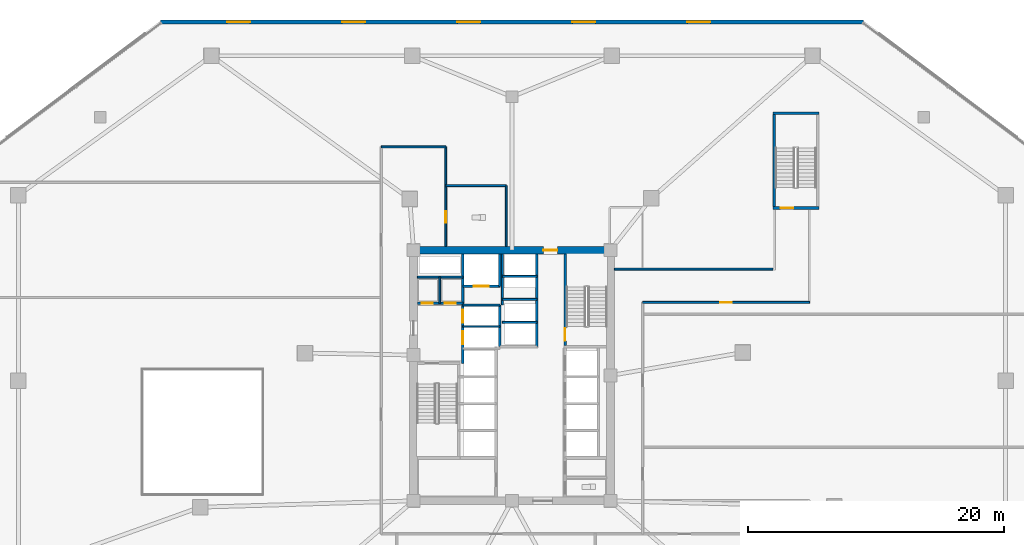
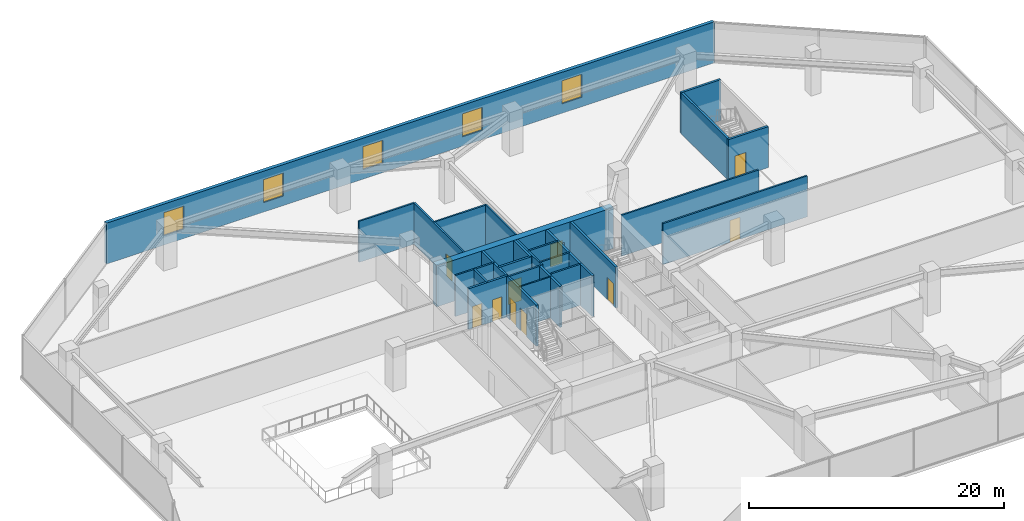
# One storey, part 12 of 22: 26 walls, 10 doors, 5 windows, 15 openings.
"""IFC4 building model written with IfcOpenShell, lengths in metres."""

from ifc_helpers import new_model, si_unit, direction, frame, frame_2d, origin, place, context, subcontext, project, spatial, rectangle, extrude, material, layer, layer_set, type_object, element, fill, save


model = new_model("IFC4")

# Units and contexts
model_context = context("Model", 3, precision=1e-05, world=origin(), true_north=direction((0.0, 1.0)))
body_context = subcontext(model_context, "Body", "Model", "MODEL_VIEW")
ifc_project = project(units=[si_unit("LENGTHUNIT", "METRE"), si_unit("AREAUNIT", "SQUARE_METRE"), si_unit("VOLUMEUNIT", "CUBIC_METRE"), si_unit("PLANEANGLEUNIT", "RADIAN"), si_unit("MASSUNIT", "GRAM", prefix="KILO")], contexts=[model_context])

# Site, building, storey
site_placement = place(None, origin())
site = spatial("IfcSite", under=ifc_project, at=site_placement, CompositionType="ELEMENT")
building_placement = place(site_placement, origin())
building = spatial("IfcBuilding", under=site, at=building_placement, Name="Savorim Split Tower", CompositionType="ELEMENT")
storey_placement = place(building_placement, frame((0.0, 0.0, 13.39990234375)))
storey = spatial("IfcBuildingStorey", under=building, at=storey_placement, Name="L03", CompositionType="ELEMENT", Elevation=13.39990234375)

# Wall, opening, door
ifc_material_1 = material(Name="Concrete C60/75", Category="concrete")
ifc_layer_1 = layer(ifc_material_1, 0.60009765625)
ifc_layer_set_1 = layer_set([ifc_layer_1], Name="WAL-COR-SH600")
wall_type_1 = type_object("IfcWallType", Name="WAL-COR-SH600", PredefinedType="SHEAR", material=ifc_layer_set_1)
wall_1_placement = place(storey_placement, frame((8.0, 10.199951171875, 0.0), z_axis=(0.0, 0.0, 1.0), x_axis=(-1.0, 0.0, 0.0)))
wall_1 = element("IfcWall", 1, at=wall_1_placement, inside=storey, type_object=wall_type_1, Name="L03 Offset Core North Shear Wall", PredefinedType="SHEAR", context=body_context, shape_type="SweptSolid", body=[
    extrude(rectangle(XDim=16.0, YDim=0.60009765625, at=frame_2d((8.0, 0.0))), origin(), (0.0, 0.0, 1.0), 3.920166015625),
])
opening_1_placement = place(wall_1_placement, frame((4.449951171875, 0.0, 0.0)))
opening_1 = element("IfcOpeningElement", 2, at=opening_1_placement, cuts=wall_1, Name="Opening DI-03", PredefinedType="OPENING", context=body_context, shape_type="SweptSolid", body=[
    extrude(rectangle(XDim=1.10009765625, YDim=2.14990234375, at=frame_2d((0.550048828125, 1.074951171875))), frame((0.0, 0.31005859375, 0.0), z_axis=(0.0, -1.0, 0.0), x_axis=(1.0, 0.0, 0.0)), (0.0, 0.0, 1.0), 0.6201171875),
])
ifc_material_2 = material(Name="Timber Fire Door Leaf", Category="wood")
door_type_1 = type_object("IfcDoorType", Name="DOR-FIR-1100", OperationType="NOTDEFINED", PredefinedType="DOOR", material=ifc_material_2)
door_1_placement = place(opening_1_placement, origin())
door_1 = element("IfcDoor", 3, at=door_1_placement, inside=storey, type_object=door_type_1, Name="DOR-L03-COR-NLOB - L03 North Corridor Lobby Fire Door", OperationType="SINGLE_SWING_RIGHT", OverallHeight=2.14990234375, OverallWidth=1.10009765625, PredefinedType="DOOR", context=body_context, shape_type="SweptSolid", body=[
    extrude(rectangle(XDim=1.10009765625, YDim=2.14990234375, at=frame_2d((0.550048828125, 1.074951171875))), frame((0.0, 0.02490234375, 0.0), z_axis=(0.0, -1.0, 0.0), x_axis=(1.0, 0.0, 0.0)), (0.0, 0.0, 1.0), 0.050048828125),
])
fill(opening_1, door_1)

# Wall, openings, windows
ifc_material_3 = material(Name="Concrete C50/60", Category="concrete")
ifc_layer_2 = layer(ifc_material_3, 0.300048828125)
ifc_layer_set_2 = layer_set([ifc_layer_2], Name="WAL-EXT-POD300")
wall_type_2 = type_object("IfcWallType", Name="WAL-EXT-POD300", PredefinedType="SOLIDWALL", material=ifc_layer_set_2)
wall_2_placement = place(storey_placement, frame((-27.47998046875, 28.0400390625, 0.0), z_axis=(0.0, 0.0, 1.0), x_axis=(1.0, 0.0, 0.0)))
wall_2 = element("IfcWall", 4, at=wall_2_placement, inside=storey, type_object=wall_type_2, Name="L03 North Podium Window Wall", PredefinedType="SOLIDWALL", context=body_context, shape_type="SweptSolid", body=[
    extrude(rectangle(XDim=54.9599609375, YDim=0.300048828125, at=frame_2d((27.47998046875, 0.0))), origin(), (0.0, 0.0, 1.0), 3.920166015625),
])
opening_2_placement = place(wall_2_placement, frame((5.199951171875, 0.0, 0.89990234375)))
opening_2 = element("IfcOpeningElement", 5, at=opening_2_placement, cuts=wall_2, Name="Opening WN-03", PredefinedType="OPENING", context=body_context, shape_type="SweptSolid", body=[
    extrude(rectangle(XDim=1.800048828125, YDim=2.199951171875, at=frame_2d((0.89990234375, 1.10009765625))), frame((0.0, 0.159912109375, 0.0), z_axis=(0.0, -1.0, 0.0), x_axis=(1.0, 0.0, 0.0)), (0.0, 0.0, 1.0), 0.320068359375),
])
opening_3_placement = place(wall_2_placement, frame((14.199951171875, 0.0, 0.89990234375)))
opening_3 = element("IfcOpeningElement", 6, at=opening_3_placement, cuts=wall_2, Name="Opening WN-03", PredefinedType="OPENING", context=body_context, shape_type="SweptSolid", body=[
    extrude(rectangle(XDim=1.800048828125, YDim=2.199951171875, at=frame_2d((0.89990234375, 1.10009765625))), frame((0.0, 0.159912109375, 0.0), z_axis=(0.0, -1.0, 0.0), x_axis=(1.0, 0.0, 0.0)), (0.0, 0.0, 1.0), 0.320068359375),
])
opening_4_placement = place(wall_2_placement, frame((23.199951171875, 0.0, 0.89990234375)))
opening_4 = element("IfcOpeningElement", 7, at=opening_4_placement, cuts=wall_2, Name="Opening WN-03", PredefinedType="OPENING", context=body_context, shape_type="SweptSolid", body=[
    extrude(rectangle(XDim=1.800048828125, YDim=2.199951171875, at=frame_2d((0.89990234375, 1.10009765625))), frame((0.0, 0.159912109375, 0.0), z_axis=(0.0, -1.0, 0.0), x_axis=(1.0, 0.0, 0.0)), (0.0, 0.0, 1.0), 0.320068359375),
])
opening_5_placement = place(wall_2_placement, frame((32.199951171875, 0.0, 0.89990234375)))
opening_5 = element("IfcOpeningElement", 8, at=opening_5_placement, cuts=wall_2, Name="Opening WN-03", PredefinedType="OPENING", context=body_context, shape_type="SweptSolid", body=[
    extrude(rectangle(XDim=1.800048828125, YDim=2.199951171875, at=frame_2d((0.89990234375, 1.10009765625))), frame((0.0, 0.159912109375, 0.0), z_axis=(0.0, -1.0, 0.0), x_axis=(1.0, 0.0, 0.0)), (0.0, 0.0, 1.0), 0.320068359375),
])
opening_6_placement = place(wall_2_placement, frame((41.199951171875, 0.0, 0.89990234375)))
opening_6 = element("IfcOpeningElement", 9, at=opening_6_placement, cuts=wall_2, Name="Opening WN-03", PredefinedType="OPENING", context=body_context, shape_type="SweptSolid", body=[
    extrude(rectangle(XDim=1.800048828125, YDim=2.199951171875, at=frame_2d((0.89990234375, 1.10009765625))), frame((0.0, 0.159912109375, 0.0), z_axis=(0.0, -1.0, 0.0), x_axis=(1.0, 0.0, 0.0)), (0.0, 0.0, 1.0), 0.320068359375),
])
ifc_material_4 = material(Name="Low-E Operable Double Glazing", Category="glass")
window_type = type_object("IfcWindowType", Name="WIN-POD-1800x2200", PartitioningType="DOUBLE_PANEL_VERTICAL", PredefinedType="WINDOW", material=ifc_material_4)
window_1_placement = place(opening_2_placement, origin())
window_1 = element("IfcWindow", 10, at=window_1_placement, inside=storey, type_object=window_type, Name="L03 North Podium Operable Window 1", OverallHeight=2.199951171875, OverallWidth=1.800048828125, PartitioningType="SINGLE_PANEL", PredefinedType="WINDOW", context=body_context, shape_type="SweptSolid", body=[
    extrude(rectangle(XDim=1.800048828125, YDim=2.199951171875, at=frame_2d((0.89990234375, 1.10009765625))), frame((0.0, 0.030029296875, 0.0), z_axis=(0.0, -1.0, 0.0), x_axis=(1.0, 0.0, 0.0)), (0.0, 0.0, 1.0), 0.06005859375),
])
fill(opening_2, window_1)
window_2_placement = place(opening_3_placement, origin())
window_2 = element("IfcWindow", 11, at=window_2_placement, inside=storey, type_object=window_type, Name="L03 North Podium Operable Window 2", OverallHeight=2.199951171875, OverallWidth=1.800048828125, PartitioningType="SINGLE_PANEL", PredefinedType="WINDOW", context=body_context, shape_type="SweptSolid", body=[
    extrude(rectangle(XDim=1.800048828125, YDim=2.199951171875, at=frame_2d((0.89990234375, 1.10009765625))), frame((0.0, 0.030029296875, 0.0), z_axis=(0.0, -1.0, 0.0), x_axis=(1.0, 0.0, 0.0)), (0.0, 0.0, 1.0), 0.06005859375),
])
fill(opening_3, window_2)
window_3_placement = place(opening_4_placement, origin())
window_3 = element("IfcWindow", 12, at=window_3_placement, inside=storey, type_object=window_type, Name="L03 North Podium Operable Window 3", OverallHeight=2.199951171875, OverallWidth=1.800048828125, PartitioningType="SINGLE_PANEL", PredefinedType="WINDOW", context=body_context, shape_type="SweptSolid", body=[
    extrude(rectangle(XDim=1.800048828125, YDim=2.199951171875, at=frame_2d((0.89990234375, 1.10009765625))), frame((0.0, 0.030029296875, 0.0), z_axis=(0.0, -1.0, 0.0), x_axis=(1.0, 0.0, 0.0)), (0.0, 0.0, 1.0), 0.06005859375),
])
fill(opening_4, window_3)
window_4_placement = place(opening_5_placement, origin())
window_4 = element("IfcWindow", 13, at=window_4_placement, inside=storey, type_object=window_type, Name="L03 North Podium Operable Window 4", OverallHeight=2.199951171875, OverallWidth=1.800048828125, PartitioningType="SINGLE_PANEL", PredefinedType="WINDOW", context=body_context, shape_type="SweptSolid", body=[
    extrude(rectangle(XDim=1.800048828125, YDim=2.199951171875, at=frame_2d((0.89990234375, 1.10009765625))), frame((0.0, 0.030029296875, 0.0), z_axis=(0.0, -1.0, 0.0), x_axis=(1.0, 0.0, 0.0)), (0.0, 0.0, 1.0), 0.06005859375),
])
fill(opening_5, window_4)
window_5_placement = place(opening_6_placement, origin())
window_5 = element("IfcWindow", 14, at=window_5_placement, inside=storey, type_object=window_type, Name="L03 North Podium Operable Window 5", OverallHeight=2.199951171875, OverallWidth=1.800048828125, PartitioningType="SINGLE_PANEL", PredefinedType="WINDOW", context=body_context, shape_type="SweptSolid", body=[
    extrude(rectangle(XDim=1.800048828125, YDim=2.199951171875, at=frame_2d((0.89990234375, 1.10009765625))), frame((0.0, 0.030029296875, 0.0), z_axis=(0.0, -1.0, 0.0), x_axis=(1.0, 0.0, 0.0)), (0.0, 0.0, 1.0), 0.06005859375),
])
fill(opening_6, window_5)

# Wall, openings, doors
ifc_layer_3 = layer(ifc_material_3, 0.199951171875)
ifc_layer_set_3 = layer_set([ifc_layer_3], Name="WAL-INT-RC200")
wall_type_3 = type_object("IfcWallType", Name="WAL-INT-RC200", PredefinedType="SOLIDWALL", material=ifc_layer_set_3)
wall_3_placement = place(storey_placement, frame((-3.85009765625, 1.35009765625, 0.0), z_axis=(0.0, 0.0, 1.0), x_axis=(0.0, 1.0, 0.0)))
wall_3 = element("IfcWall", 15, at=wall_3_placement, inside=storey, type_object=wall_type_3, Name="L03 Partition W-L03-CR03", PredefinedType="SOLIDWALL", context=body_context, shape_type="SweptSolid", body=[
    extrude(rectangle(XDim=8.544921875, YDim=0.199951171875, at=frame_2d((4.2724609375, 0.0))), origin(), (0.0, 0.0, 1.0), 3.920166015625),
])
opening_7_placement = place(wall_3_placement, frame((1.5, 0.0, 0.0)))
opening_7 = element("IfcOpeningElement", 16, at=opening_7_placement, cuts=wall_3, Name="Opening LD-FFL", PredefinedType="OPENING", context=body_context, shape_type="SweptSolid", body=[
    extrude(rectangle(XDim=1.0, YDim=2.14990234375, at=frame_2d((0.5, 1.074951171875))), frame((0.0, 0.10986328125, 0.0), z_axis=(0.0, -1.0, 0.0), x_axis=(1.0, 0.0, 0.0)), (0.0, 0.0, 1.0), 0.219970703125),
])
opening_8_placement = place(wall_3_placement, frame((3.179931640625, 0.0, 0.0)))
opening_8 = element("IfcOpeningElement", 17, at=opening_8_placement, cuts=wall_3, Name="Opening LD-FFL", PredefinedType="OPENING", context=body_context, shape_type="SweptSolid", body=[
    extrude(rectangle(XDim=1.0, YDim=2.14990234375, at=frame_2d((0.5, 1.074951171875))), frame((0.0, 0.10986328125, 0.0), z_axis=(0.0, -1.0, 0.0), x_axis=(1.0, 0.0, 0.0)), (0.0, 0.0, 1.0), 0.219970703125),
])
ifc_material_5 = material(Name="Charcoal Anodised Aluminium", Category="aluminium")
door_type_2 = type_object("IfcDoorType", Name="DOR-SLD-LD1000", OperationType="NOTDEFINED", PredefinedType="DOOR", material=ifc_material_5)
door_2_placement = place(opening_7_placement, origin())
door_2 = element("IfcDoor", 18, at=door_2_placement, inside=storey, type_object=door_type_2, Name="DR-L03-LD-FFL1 - L03 Firefighting Lift FFL-1 Sliding Landing Door", OperationType="DOUBLE_DOOR_SLIDING", OverallHeight=2.14990234375, OverallWidth=1.0, PredefinedType="DOOR", context=body_context, shape_type="SweptSolid", body=[
    extrude(rectangle(XDim=1.0, YDim=2.14990234375, at=frame_2d((0.5, 1.074951171875))), frame((0.0, 0.02490234375, 0.0), z_axis=(0.0, -1.0, 0.0), x_axis=(1.0, 0.0, 0.0)), (0.0, 0.0, 1.0), 0.050048828125),
])
fill(opening_7, door_2)
door_3_placement = place(opening_8_placement, origin())
door_3 = element("IfcDoor", 19, at=door_3_placement, inside=storey, type_object=door_type_2, Name="DR-L03-LD-FFL2 - L03 Firefighting Lift FFL-2 Sliding Landing Door", OperationType="DOUBLE_DOOR_SLIDING", OverallHeight=2.14990234375, OverallWidth=1.0, PredefinedType="DOOR", context=body_context, shape_type="SweptSolid", body=[
    extrude(rectangle(XDim=1.0, YDim=2.14990234375, at=frame_2d((0.5, 1.074951171875))), frame((0.0, 0.02490234375, 0.0), z_axis=(0.0, -1.0, 0.0), x_axis=(1.0, 0.0, 0.0)), (0.0, 0.0, 1.0), 0.050048828125),
])
fill(opening_8, door_3)

wall_4_placement = place(storey_placement, frame((-7.39501953125, 6.050048828125, 0.0), z_axis=(0.0, 0.0, 1.0), x_axis=(1.0, 0.0, 0.0)))
wall_4 = element("IfcWall", 20, at=wall_4_placement, inside=storey, type_object=wall_type_3, Name="L03 Partition W-L03-CR04", PredefinedType="SOLIDWALL", context=body_context, shape_type="SweptSolid", body=[
    extrude(rectangle(XDim=3.544921875, YDim=0.199951171875, at=frame_2d((1.7724609375, 0.0))), origin(), (0.0, 0.0, 1.0), 3.920166015625),
])
opening_9_placement = place(wall_4_placement, frame((0.344970703125, 0.0, 0.0)))
opening_9 = element("IfcOpeningElement", 21, at=opening_9_placement, cuts=wall_4, Name="Opening DI-12", PredefinedType="OPENING", context=body_context, shape_type="SweptSolid", body=[
    extrude(rectangle(XDim=0.85009765625, YDim=2.10009765625, at=frame_2d((0.425048828125, 1.050048828125))), frame((0.0, 0.10986328125, 0.0), z_axis=(0.0, -1.0, 0.0), x_axis=(1.0, 0.0, 0.0)), (0.0, 0.0, 1.0), 0.219970703125),
])
opening_10_placement = place(wall_4_placement, frame((2.14501953125, 0.0, 0.0)))
opening_10 = element("IfcOpeningElement", 22, at=opening_10_placement, cuts=wall_4, Name="Opening DI-12", PredefinedType="OPENING", context=body_context, shape_type="SweptSolid", body=[
    extrude(rectangle(XDim=0.85009765625, YDim=2.10009765625, at=frame_2d((0.425048828125, 1.050048828125))), frame((0.0, 0.10986328125, 0.0), z_axis=(0.0, -1.0, 0.0), x_axis=(1.0, 0.0, 0.0)), (0.0, 0.0, 1.0), 0.219970703125),
])
ifc_material_6 = material(Name="Galvanised Painted Steel Balustrade", Category="steel")
door_type_3 = type_object("IfcDoorType", Name="DOR-RIS-850", OperationType="NOTDEFINED", PredefinedType="DOOR", material=ifc_material_6)
door_4_placement = place(opening_9_placement, origin())
door_4 = element("IfcDoor", 23, at=door_4_placement, inside=storey, type_object=door_type_3, Name="DR-L03-ELR - L03 Electrical Riser Access Door", OperationType="SINGLE_SWING_RIGHT", OverallHeight=2.10009765625, OverallWidth=0.85009765625, PredefinedType="DOOR", context=body_context, shape_type="SweptSolid", body=[
    extrude(rectangle(XDim=0.85009765625, YDim=2.10009765625, at=frame_2d((0.425048828125, 1.050048828125))), frame((0.0, 0.02490234375, 0.0), z_axis=(0.0, -1.0, 0.0), x_axis=(1.0, 0.0, 0.0)), (0.0, 0.0, 1.0), 0.050048828125),
])
fill(opening_9, door_4)
door_5_placement = place(opening_10_placement, origin())
door_5 = element("IfcDoor", 24, at=door_5_placement, inside=storey, type_object=door_type_3, Name="DR-L03-TLR - L03 Telecom Riser Access Door", OperationType="SINGLE_SWING_LEFT", OverallHeight=2.10009765625, OverallWidth=0.85009765625, PredefinedType="DOOR", context=body_context, shape_type="SweptSolid", body=[
    extrude(rectangle(XDim=0.85009765625, YDim=2.10009765625, at=frame_2d((0.425048828125, 1.050048828125))), frame((0.0, 0.02490234375, 0.0), z_axis=(0.0, -1.0, 0.0), x_axis=(1.0, 0.0, 0.0)), (0.0, 0.0, 1.0), 0.050048828125),
])
fill(opening_10, door_5)

# Wall, opening, door
wall_5_placement = place(storey_placement, frame((4.14990234375, 2.75, 0.0), z_axis=(0.0, 0.0, 1.0), x_axis=(0.0, 1.0, 0.0)))
wall_5 = element("IfcWall", 25, at=wall_5_placement, inside=storey, type_object=wall_type_3, Name="L03 Structural Shaft Wall W-L03-CR07", PredefinedType="SOLIDWALL", context=body_context, shape_type="SweptSolid", body=[
    extrude(rectangle(XDim=7.14990234375, YDim=0.199951171875, at=frame_2d((3.574951171875, 0.0))), origin(), (0.0, 0.0, 1.0), 3.920166015625),
])
opening_11_placement = place(wall_5_placement, frame((0.35009765625, 0.0, 0.0)))
opening_11 = element("IfcOpeningElement", 26, at=opening_11_placement, cuts=wall_5, Name="Opening DI-04", PredefinedType="OPENING", context=body_context, shape_type="SweptSolid", body=[
    extrude(rectangle(XDim=1.0, YDim=2.14990234375, at=frame_2d((0.5, 1.074951171875))), frame((0.0, 0.10986328125, 0.0), z_axis=(0.0, -1.0, 0.0), x_axis=(1.0, 0.0, 0.0)), (0.0, 0.0, 1.0), 0.219970703125),
])
door_type_4 = type_object("IfcDoorType", Name="DOR-FIR-1000", OperationType="NOTDEFINED", PredefinedType="DOOR", material=ifc_material_2)
door_6_placement = place(opening_11_placement, origin())
door_6 = element("IfcDoor", 27, at=door_6_placement, inside=storey, type_object=door_type_4, Name="DR-L03-ST2 - L03 Stair ST-2 Enclosure Door", OperationType="SINGLE_SWING_RIGHT", OverallHeight=2.14990234375, OverallWidth=1.0, PredefinedType="DOOR", context=body_context, shape_type="SweptSolid", body=[
    extrude(rectangle(XDim=1.0, YDim=2.14990234375, at=frame_2d((0.5, 1.074951171875))), frame((0.0, 0.02490234375, 0.0), z_axis=(0.0, -1.0, 0.0), x_axis=(1.0, 0.0, 0.0)), (0.0, 0.0, 1.0), 0.050048828125),
])
fill(opening_11, door_6)

# Wall
wall_6_placement = place(storey_placement, frame((-0.949951171875, 2.64990234375, 0.0), z_axis=(0.0, 0.0, 1.0), x_axis=(0.0, 1.0, 0.0)))
element("IfcWall", 28, at=wall_6_placement, inside=storey, type_object=wall_type_3, Name="L03 Partition W-L03-FFLW", PredefinedType="SOLIDWALL", context=body_context, shape_type="SweptSolid", body=[
    extrude(rectangle(XDim=3.27001953125, YDim=0.199951171875, at=frame_2d((1.635009765625, 0.0))), origin(), (0.0, 0.0, 1.0), 3.920166015625),
])

# Wall, opening, door
wall_7_placement = place(storey_placement, frame((-3.85009765625, 7.3798828125, 0.0), z_axis=(0.0, 0.0, 1.0), x_axis=(1.0, 0.0, 0.0)))
wall_7 = element("IfcWall", 29, at=wall_7_placement, inside=storey, type_object=wall_type_3, Name="L03 Partition W-L03-SVLS", PredefinedType="SOLIDWALL", context=body_context, shape_type="SweptSolid", body=[
    extrude(rectangle(XDim=2.900146484375, YDim=0.199951171875, at=frame_2d((1.4501953125, 0.0))), origin(), (0.0, 0.0, 1.0), 3.920166015625),
])
opening_12_placement = place(wall_7_placement, frame((0.85009765625, 0.0, 0.0)))
opening_12 = element("IfcOpeningElement", 30, at=opening_12_placement, cuts=wall_7, Name="Opening LD-SV", PredefinedType="OPENING", context=body_context, shape_type="SweptSolid", body=[
    extrude(rectangle(XDim=1.199951171875, YDim=2.199951171875, at=frame_2d((0.60009765625, 1.10009765625))), frame((0.0, 0.10986328125, 0.0), z_axis=(0.0, -1.0, 0.0), x_axis=(1.0, 0.0, 0.0)), (0.0, 0.0, 1.0), 0.219970703125),
])
door_type_5 = type_object("IfcDoorType", Name="DOR-SLD-SV1200", OperationType="NOTDEFINED", PredefinedType="DOOR", material=ifc_material_5)
door_7_placement = place(opening_12_placement, origin())
door_7 = element("IfcDoor", 31, at=door_7_placement, inside=storey, type_object=door_type_5, Name="DR-L03-LD-SVL1 - L03 Service Lift SVL-1 Sliding Landing Door", OperationType="DOUBLE_DOOR_SLIDING", OverallHeight=2.199951171875, OverallWidth=1.199951171875, PredefinedType="DOOR", context=body_context, shape_type="SweptSolid", body=[
    extrude(rectangle(XDim=1.199951171875, YDim=2.199951171875, at=frame_2d((0.60009765625, 1.10009765625))), frame((0.0, 0.02490234375, 0.0), z_axis=(0.0, -1.0, 0.0), x_axis=(1.0, 0.0, 0.0)), (0.0, 0.0, 1.0), 0.050048828125),
])
fill(opening_12, door_7)

# Walls
wall_8_placement = place(storey_placement, frame((-0.949951171875, 7.3798828125, 0.0), z_axis=(0.0, 0.0, 1.0), x_axis=(0.0, 1.0, 0.0)))
element("IfcWall", 32, at=wall_8_placement, inside=storey, type_object=wall_type_3, Name="L03 Partition W-L03-SVLE", PredefinedType="SOLIDWALL", context=body_context, shape_type="SweptSolid", body=[
    extrude(rectangle(XDim=2.51513671875, YDim=0.199951171875, at=frame_2d((1.257568359375, 0.0))), origin(), (0.0, 0.0, 1.0), 3.920166015625),
])
wall_9_placement = place(storey_placement, frame((1.949951171875, 2.64990234375, 0.0), z_axis=(0.0, 0.0, 1.0), x_axis=(0.0, 1.0, 0.0)))
element("IfcWall", 33, at=wall_9_placement, inside=storey, type_object=wall_type_3, Name="L03 Partition W-L03-B3FRONT", PredefinedType="SOLIDWALL", context=body_context, shape_type="SweptSolid", body=[
    extrude(rectangle(XDim=7.2451171875, YDim=0.199951171875, at=frame_2d((3.62255859375, 0.0))), origin(), (0.0, 0.0, 1.0), 3.920166015625),
])

# Wall, opening, door
wall_10_placement = place(storey_placement, frame((20.39990234375, 13.5, 0.0), z_axis=(0.0, 0.0, 1.0), x_axis=(1.0, 0.0, 0.0)))
wall_10 = element("IfcWall", 34, at=wall_10_placement, inside=storey, type_object=wall_type_3, Name="L03 Structural Shaft Wall W-L03-ST3S", PredefinedType="SOLIDWALL", context=body_context, shape_type="SweptSolid", body=[
    extrude(rectangle(XDim=3.60009765625, YDim=0.199951171875, at=frame_2d((1.800048828125, 0.0))), origin(), (0.0, 0.0, 1.0), 3.920166015625),
])
opening_13_placement = place(wall_10_placement, frame((0.60009765625, 0.0, 0.0)))
opening_13 = element("IfcOpeningElement", 35, at=opening_13_placement, cuts=wall_10, Name="Opening DI-04", PredefinedType="OPENING", context=body_context, shape_type="SweptSolid", body=[
    extrude(rectangle(XDim=1.0, YDim=2.14990234375, at=frame_2d((0.5, 1.074951171875))), frame((0.0, 0.10986328125, 0.0), z_axis=(0.0, -1.0, 0.0), x_axis=(1.0, 0.0, 0.0)), (0.0, 0.0, 1.0), 0.219970703125),
])
door_8_placement = place(opening_13_placement, origin())
door_8 = element("IfcDoor", 36, at=door_8_placement, inside=storey, type_object=door_type_4, Name="DR-L03-ST3 - L03 Stair ST-3 Enclosure Door", OperationType="SINGLE_SWING_RIGHT", OverallHeight=2.14990234375, OverallWidth=1.0, PredefinedType="DOOR", context=body_context, shape_type="SweptSolid", body=[
    extrude(rectangle(XDim=1.0, YDim=2.14990234375, at=frame_2d((0.5, 1.074951171875))), frame((0.0, 0.02490234375, 0.0), z_axis=(0.0, -1.0, 0.0), x_axis=(1.0, 0.0, 0.0)), (0.0, 0.0, 1.0), 0.050048828125),
])
fill(opening_13, door_8)

# Walls
wall_11_placement = place(storey_placement, frame((20.39990234375, 20.89990234375, 0.0), z_axis=(0.0, 0.0, 1.0), x_axis=(1.0, 0.0, 0.0)))
element("IfcWall", 37, at=wall_11_placement, inside=storey, type_object=wall_type_3, Name="L03 Structural Shaft Wall W-L03-ST3N", PredefinedType="SOLIDWALL", context=body_context, shape_type="SweptSolid", body=[
    extrude(rectangle(XDim=3.60009765625, YDim=0.199951171875, at=frame_2d((1.800048828125, 0.0))), origin(), (0.0, 0.0, 1.0), 3.920166015625),
])
wall_12_placement = place(storey_placement, frame((20.5, 13.60009765625, 0.0), z_axis=(0.0, 0.0, 1.0), x_axis=(0.0, 1.0, 0.0)))
element("IfcWall", 38, at=wall_12_placement, inside=storey, type_object=wall_type_3, Name="L03 Structural Shaft Wall W-L03-ST3W", PredefinedType="SOLIDWALL", context=body_context, shape_type="SweptSolid", body=[
    extrude(rectangle(XDim=7.199951171875, YDim=0.199951171875, at=frame_2d((3.60009765625, 0.0))), origin(), (0.0, 0.0, 1.0), 3.920166015625),
])
ifc_material_7 = material(Name="Acoustic Gypsum Partition Board")
ifc_layer_4 = layer(ifc_material_7, 0.1201171875)
ifc_layer_set_4 = layer_set([ifc_layer_4], Name="WAL-PAR-120")
wall_type_4 = type_object("IfcWallType", Name="WAL-PAR-120", PredefinedType="PARTITIONING", material=ifc_layer_set_4)
wall_13_placement = place(storey_placement, frame((-3.85009765625, 4.219970703125, 0.0), z_axis=(0.0, 0.0, 1.0), x_axis=(1.0, 0.0, 0.0)))
element("IfcWall", 39, at=wall_13_placement, inside=storey, type_object=wall_type_4, Name="L03 Partition W-L03-FFLD1", PredefinedType="PARTITIONING", context=body_context, shape_type="SweptSolid", body=[
    extrude(rectangle(XDim=2.900146484375, YDim=0.1201171875, at=frame_2d((1.4501953125, 0.0))), origin(), (0.0, 0.0, 1.0), 3.920166015625),
])
ifc_layer_5 = layer(ifc_material_7, 0.14990234375)
ifc_layer_set_5 = layer_set([ifc_layer_5], Name="WAL-PAR-150")
wall_type_5 = type_object("IfcWallType", Name="WAL-PAR-150", PredefinedType="PARTITIONING", material=ifc_layer_set_5)
wall_14_placement = place(storey_placement, frame((-7.39501953125, 8.10009765625, 0.0), z_axis=(0.0, 0.0, 1.0), x_axis=(1.0, 0.0, 0.0)))
element("IfcWall", 40, at=wall_14_placement, inside=storey, type_object=wall_type_5, Name="L03 Partition W-L03-CR05", PredefinedType="PARTITIONING", context=body_context, shape_type="SweptSolid", body=[
    extrude(rectangle(XDim=3.544921875, YDim=0.14990234375, at=frame_2d((1.7724609375, 0.0))), origin(), (0.0, 0.0, 1.0), 3.920166015625),
])
wall_15_placement = place(storey_placement, frame((-5.64990234375, 6.050048828125, 0.0), z_axis=(0.0, 0.0, 1.0), x_axis=(0.0, 1.0, 0.0)))
element("IfcWall", 41, at=wall_15_placement, inside=storey, type_object=wall_type_5, Name="L03 Partition W-L03-CR06", PredefinedType="PARTITIONING", context=body_context, shape_type="SweptSolid", body=[
    extrude(rectangle(XDim=2.050048828125, YDim=0.14990234375, at=frame_2d((1.02490234375, 0.0))), origin(), (0.0, 0.0, 1.0), 3.920166015625),
])
wall_16_placement = place(storey_placement, frame((-3.85009765625, 5.89990234375, 0.0), z_axis=(0.0, 0.0, 1.0), x_axis=(1.0, 0.0, 0.0)))
element("IfcWall", 42, at=wall_16_placement, inside=storey, type_object=wall_type_5, Name="L03 Partition W-L03-FFLD2", PredefinedType="PARTITIONING", context=body_context, shape_type="SweptSolid", body=[
    extrude(rectangle(XDim=2.900146484375, YDim=0.14990234375, at=frame_2d((1.4501953125, 0.0))), origin(), (0.0, 0.0, 1.0), 3.920166015625),
])
wall_17_placement = place(storey_placement, frame((-0.75, 5.919921875, 0.0), z_axis=(0.0, 0.0, 1.0), x_axis=(0.0, 1.0, 0.0)))
element("IfcWall", 43, at=wall_17_placement, inside=storey, type_object=wall_type_5, Name="L03 Partition W-L03-B3WEST", PredefinedType="PARTITIONING", context=body_context, shape_type="SweptSolid", body=[
    extrude(rectangle(XDim=3.97509765625, YDim=0.14990234375, at=frame_2d((1.987548828125, 0.0))), origin(), (0.0, 0.0, 1.0), 3.920166015625),
])
for number, where, z_axis, x_axis, name in (
    (44, (-0.75, 4.550048828125, 0.0), (0.0, 0.0, 1.0), (1.0, 0.0, 0.0), "L03 Partition W-L03-B3DIV1"),
    (45, (-0.75, 6.35009765625, 0.0), (0.0, 0.0, 1.0), (1.0, 0.0, 0.0), "L03 Partition W-L03-B3DIV2"),
    (46, (-0.75, 8.14990234375, 0.0), (0.0, 0.0, 1.0), (1.0, 0.0, 0.0), "L03 Partition W-L03-B3DIV3"),
):
    element("IfcWall", number, at=place(storey_placement, frame(where, z_axis=z_axis, x_axis=x_axis)), inside=storey, type_object=wall_type_5, Name=name, PredefinedType="PARTITIONING", context=body_context, shape_type="SweptSolid", body=[
        extrude(rectangle(XDim=2.699951171875, YDim=0.14990234375, at=frame_2d((1.35009765625, 0.0))), origin(), (0.0, 0.0, 1.0), 3.920166015625),
    ])
wall_18_placement = place(storey_placement, frame((-10.219970703125, 18.280029296875, 0.0), z_axis=(0.0, 0.0, 1.0), x_axis=(1.0, 0.0, 0.0)))
element("IfcWall", 47, at=wall_18_placement, inside=storey, type_object=wall_type_5, Name="L03 Partition W-L03-PCNW", PredefinedType="PARTITIONING", context=body_context, shape_type="SweptSolid", body=[
    extrude(rectangle(XDim=5.0400390625, YDim=0.14990234375, at=frame_2d((2.52001953125, 0.0))), origin(), (0.0, 0.0, 1.0), 3.920166015625),
])

# Wall, opening, door
wall_19_placement = place(storey_placement, frame((-5.179931640625, 10.5, 0.0), z_axis=(0.0, 0.0, 1.0), x_axis=(0.0, 1.0, 0.0)))
wall_19 = element("IfcWall", 48, at=wall_19_placement, inside=storey, type_object=wall_type_5, Name="L03 Partition W-L03-PCNE0", PredefinedType="PARTITIONING", context=body_context, shape_type="SweptSolid", body=[
    extrude(rectangle(XDim=7.780029296875, YDim=0.14990234375, at=frame_2d((3.89013671875, 0.0))), origin(), (0.0, 0.0, 1.0), 3.920166015625),
])
opening_14_placement = place(wall_19_placement, frame((1.848876953125, 0.0, 0.0)))
opening_14 = element("IfcOpeningElement", 49, at=opening_14_placement, cuts=wall_19, Name="Opening DI-11", PredefinedType="OPENING", context=body_context, shape_type="SweptSolid", body=[
    extrude(rectangle(XDim=0.89990234375, YDim=2.10009765625, at=frame_2d((0.449951171875, 1.050048828125))), frame((0.0, 0.0849609375, 0.0), z_axis=(0.0, -1.0, 0.0), x_axis=(1.0, 0.0, 0.0)), (0.0, 0.0, 1.0), 0.169921875),
])
ifc_material_8 = material(Name="Oak Veneer Acoustic Door")
door_type_6 = type_object("IfcDoorType", Name="DOR-WC-900", OperationType="NOTDEFINED", PredefinedType="DOOR", material=ifc_material_8)
door_9_placement = place(opening_14_placement, origin())
door_9 = element("IfcDoor", 50, at=door_9_placement, inside=storey, type_object=door_type_6, Name="DR-L03-RM01 - L03 Accessible WC Entry Door", OperationType="SINGLE_SWING_RIGHT", OverallHeight=2.10009765625, OverallWidth=0.89990234375, PredefinedType="DOOR", context=body_context, shape_type="SweptSolid", body=[
    extrude(rectangle(XDim=0.89990234375, YDim=2.10009765625, at=frame_2d((0.449951171875, 1.050048828125))), frame((0.0, 0.02490234375, 0.0), z_axis=(0.0, -1.0, 0.0), x_axis=(1.0, 0.0, 0.0)), (0.0, 0.0, 1.0), 0.050048828125),
])
fill(opening_14, door_9)

wall_20_placement = place(storey_placement, frame((10.219970703125, 6.1201171875, 0.0), z_axis=(0.0, 0.0, 1.0), x_axis=(1.0, 0.0, 0.0)))
wall_20 = element("IfcWall", 51, at=wall_20_placement, inside=storey, type_object=wall_type_5, Name="L03 Partition W-L03-PCNE", PredefinedType="PARTITIONING", context=body_context, shape_type="SweptSolid", body=[
    extrude(rectangle(XDim=13.06005859375, YDim=0.14990234375, at=frame_2d((6.530029296875, 0.0))), origin(), (0.0, 0.0, 1.0), 3.920166015625),
])
opening_15_placement = place(wall_20_placement, frame((6.080078125, 0.0, 0.0)))
opening_15 = element("IfcOpeningElement", 52, at=opening_15_placement, cuts=wall_20, Name="Opening DI-06", PredefinedType="OPENING", context=body_context, shape_type="SweptSolid", body=[
    extrude(rectangle(XDim=0.89990234375, YDim=2.10009765625, at=frame_2d((0.449951171875, 1.050048828125))), frame((0.0, 0.0849609375, 0.0), z_axis=(0.0, -1.0, 0.0), x_axis=(1.0, 0.0, 0.0)), (0.0, 0.0, 1.0), 0.169921875),
])
door_type_7 = type_object("IfcDoorType", Name="DOR-FIR-900", OperationType="NOTDEFINED", PredefinedType="DOOR", material=ifc_material_2)
door_10_placement = place(opening_15_placement, origin())
door_10 = element("IfcDoor", 53, at=door_10_placement, inside=storey, type_object=door_type_7, Name="DR-L03-RM07 - L03 Co-Working Commons Entry Door", OperationType="SINGLE_SWING_RIGHT", OverallHeight=2.10009765625, OverallWidth=0.89990234375, PredefinedType="DOOR", context=body_context, shape_type="SweptSolid", body=[
    extrude(rectangle(XDim=0.89990234375, YDim=2.10009765625, at=frame_2d((0.449951171875, 1.050048828125))), frame((0.0, 0.02490234375, 0.0), z_axis=(0.0, -1.0, 0.0), x_axis=(1.0, 0.0, 0.0)), (0.0, 0.0, 1.0), 0.050048828125),
])
fill(opening_15, door_10)

# Walls
wall_21_placement = place(storey_placement, frame((8.0, 8.719970703125, 0.0), z_axis=(0.0, 0.0, 1.0), x_axis=(1.0, 0.0, 0.0)))
element("IfcWall", 54, at=wall_21_placement, inside=storey, type_object=wall_type_5, Name="L03 Partition W-L03-PCN2", PredefinedType="PARTITIONING", context=body_context, shape_type="SweptSolid", body=[
    extrude(rectangle(XDim=12.39990234375, YDim=0.14990234375, at=frame_2d((6.199951171875, 0.0))), origin(), (0.0, 0.0, 1.0), 3.920166015625),
])
wall_22_placement = place(storey_placement, frame((-0.449951171875, 10.5, 0.0), z_axis=(0.0, 0.0, 1.0), x_axis=(0.0, 1.0, 0.0)))
element("IfcWall", 55, at=wall_22_placement, inside=storey, type_object=wall_type_5, Name="L03 Partition W-L03-PWCE", PredefinedType="PARTITIONING", context=body_context, shape_type="SweptSolid", body=[
    extrude(rectangle(XDim=4.75, YDim=0.14990234375, at=frame_2d((2.375, 0.0))), origin(), (0.0, 0.0, 1.0), 3.920166015625),
])
wall_23_placement = place(storey_placement, frame((-5.179931640625, 15.25, 0.0), z_axis=(0.0, 0.0, 1.0), x_axis=(1.0, 0.0, 0.0)))
element("IfcWall", 56, at=wall_23_placement, inside=storey, type_object=wall_type_5, Name="L03 Partition W-L03-PWCN", PredefinedType="PARTITIONING", context=body_context, shape_type="SweptSolid", body=[
    extrude(rectangle(XDim=4.72998046875, YDim=0.14990234375, at=frame_2d((2.364990234375, 0.0))), origin(), (0.0, 0.0, 1.0), 3.920166015625),
])

save(model, "model.ifc")
